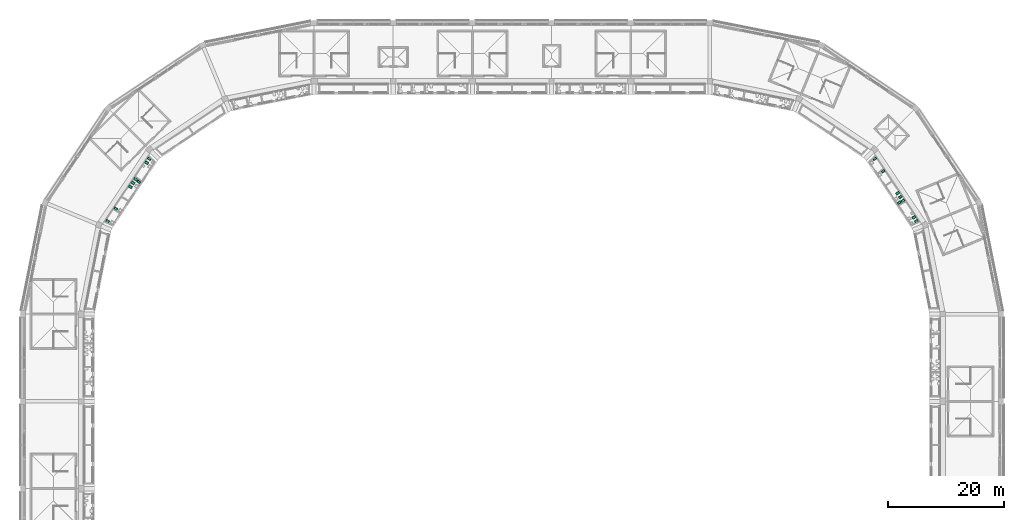
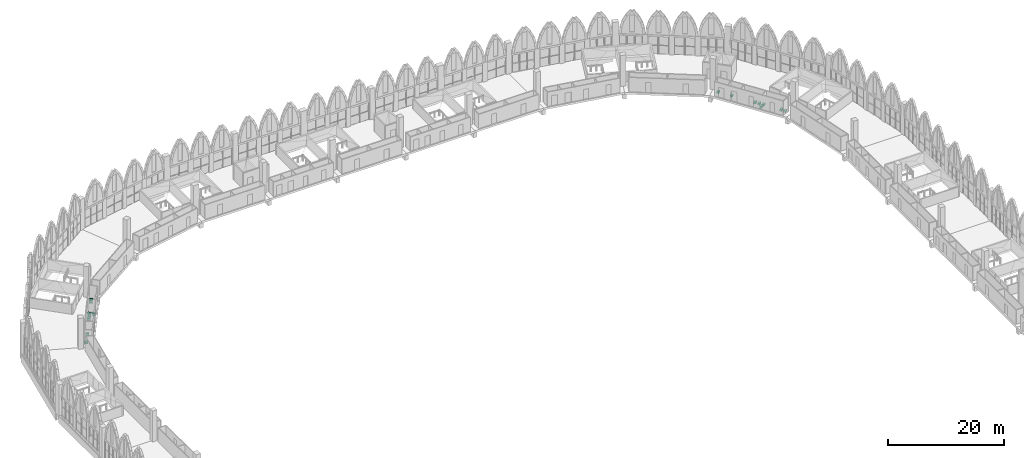
# One storey, part 123 of 130: 16 sanitary terminals.
"""IFC4 building model written with IfcOpenShell, lengths in metres."""

from ifc_helpers import new_model, si_unit, direction, frame, origin, origin_2d, place, context, subcontext, project, spatial, rectangle, extrude, material, type_object, element, save


model = new_model("IFC4")

# Units and contexts
model_context = context("Model", 3, precision=1e-05, world=origin(), true_north=direction((0.0, 1.0)))
body_context = subcontext(model_context, "Body", "Model", "MODEL_VIEW")
ifc_project = project(units=[si_unit("LENGTHUNIT", "METRE"), si_unit("AREAUNIT", "SQUARE_METRE"), si_unit("VOLUMEUNIT", "CUBIC_METRE"), si_unit("PLANEANGLEUNIT", "RADIAN"), si_unit("MASSUNIT", "GRAM", prefix="KILO")], contexts=[model_context])

# Site, building, storey
site_placement = place(None, origin())
site = spatial("IfcSite", under=ifc_project, at=site_placement, CompositionType="ELEMENT")
building_placement = place(site_placement, origin())
building = spatial("IfcBuilding", under=site, at=building_placement, Name="Ogive Plaza Stadium", CompositionType="ELEMENT")
storey_placement = place(building_placement, frame((0.0, 0.0, 22.5)))
storey = spatial("IfcBuildingStorey", under=building, at=storey_placement, Name="L05", CompositionType="ELEMENT", Elevation=22.5)

# Sanitary terminals
ifc_material = material(Name="Vitreous china", Category="ceramic")
sanitary_terminal_type = type_object("IfcSanitaryTerminalType", Name="Water closet", PredefinedType="TOILETPAN", material=ifc_material)
for number, where, z_axis, x_axis, name in (
    (1, (-62.318359375, 79.17822265625, 0.0), (0.0, 0.0, 1.0), (-0.55557023302, -0.831469612303, 0.0), "Water closet L05-085"),
    (2, (-62.7626953125, 78.51318359375, 0.0), (0.0, 0.0, 1.0), (-0.55557023302, -0.831469612303, 0.0), "Water closet L05-085"),
    (3, (69.484619140625, 68.453369140625, 0.0), (0.0, 0.0, 1.0), (-0.55557023302, 0.831469612303, 0.0), "Water closet L05-115"),
    (4, (69.0400390625, 69.118408203125, 0.0), (0.0, 0.0, 1.0), (-0.55557023302, 0.831469612303, 0.0), "Water closet L05-115"),
    (5, (-64.652099609375, 75.685302734375, 0.0), (0.0, 0.0, 1.0), (-0.55557023302, -0.831469612303, 0.0), "Water closet L05-086"),
    (6, (-65.0966796875, 75.020263671875, 0.0), (0.0, 0.0, 1.0), (-0.55557023302, -0.831469612303, 0.0), "Water closet L05-086"),
    (7, (-65.541015625, 74.35498046875, 0.0), (0.0, 0.0, 1.0), (-0.55557023302, -0.831469612303, 0.0), "Water closet L05-086"),
    (8, (-64.09765625, 75.2119140625, 0.0), (0.0, 0.0, 1.0), (-0.55557023302, -0.831469612303, 0.0), "Water closet L05-086"),
    (9, (67.150634765625, 71.9462890625, 0.0), (0.0, 0.0, 1.0), (-0.55557023302, 0.831469612303, 0.0), "Water closet L05-116"),
    (10, (66.7060546875, 72.611328125, 0.0), (0.0, 0.0, 1.0), (-0.55557023302, 0.831469612303, 0.0), "Water closet L05-116"),
    (11, (66.26171875, 73.276611328125, 0.0), (0.0, 0.0, 1.0), (-0.55557023302, 0.831469612303, 0.0), "Water closet L05-116"),
    (12, (66.5009765625, 71.614990234375, 0.0), (0.0, 0.0, 1.0), (-0.55557023302, 0.831469612303, 0.0), "Water closet L05-116"),
    (13, (-68.053955078125, 70.59423828125, 0.0), (0.0, 0.0, 1.0), (0.55557023302, 0.831469612303, 0.0), "Water closet L05-087"),
    (14, (-69.484619140625, 68.453369140625, 0.0), (0.0, 0.0, 1.0), (0.55557023302, 0.831469612303, 0.0), "Water closet L05-088"),
    (15, (63.748779296875, 77.03759765625, 0.0), (0.0, 0.0, 1.0), (0.55557023302, -0.831469612303, 0.0), "Water closet L05-117"),
    (16, (62.318359375, 79.17822265625, 0.0), (0.0, 0.0, 1.0), (0.55557023302, -0.831469612303, 0.0), "Water closet L05-118"),
):
    element("IfcSanitaryTerminal", number, at=place(storey_placement, frame(where, z_axis=z_axis, x_axis=x_axis)), inside=storey, type_object=sanitary_terminal_type, Name=name, PredefinedType="TOILETPAN", context=body_context, shape_type="SweptSolid", body=[
        extrude(rectangle(XDim=0.39990234375, YDim=0.60009765625, at=origin_2d()), origin(), (0.0, 0.0, 1.0), 0.39990234375),
    ])

save(model, "model.ifc")
